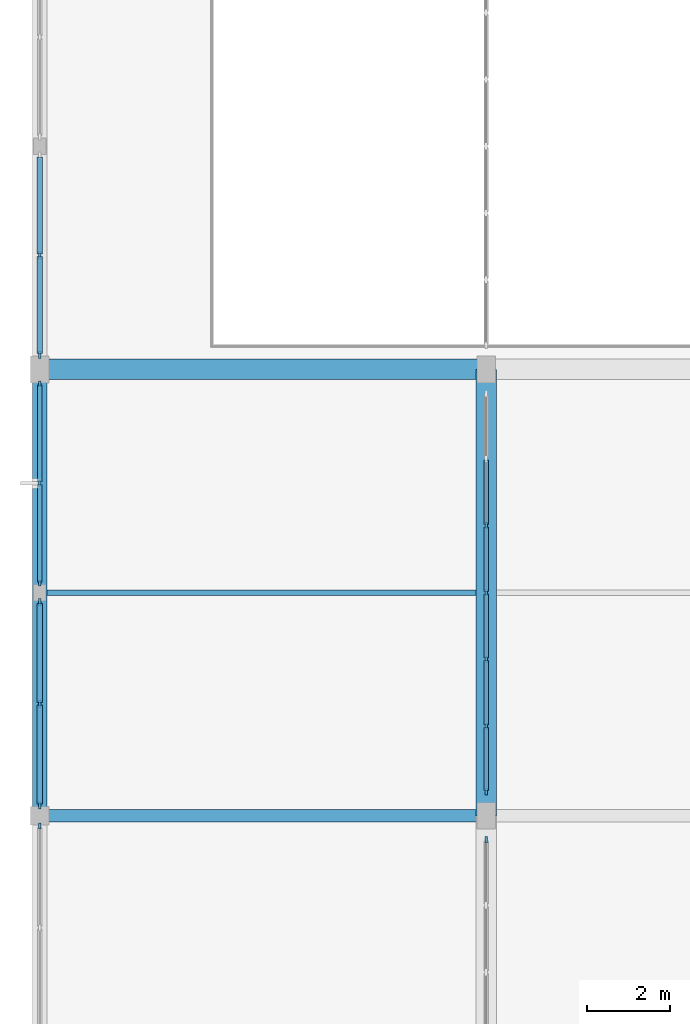
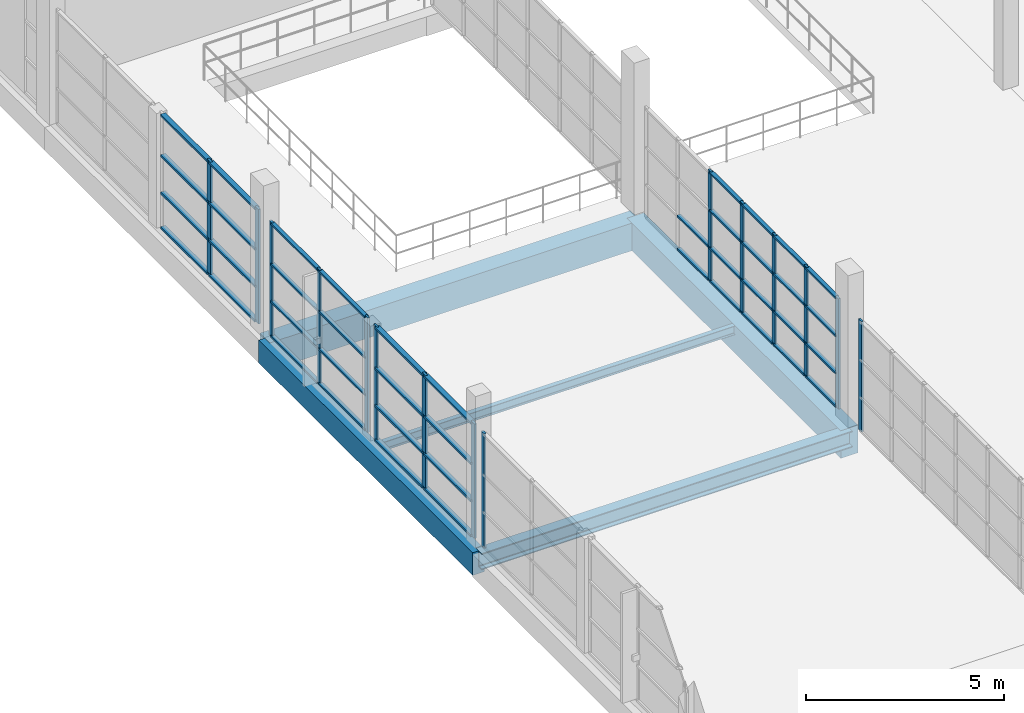
# One storey, part 30 of 142: 57 members, 5 beams, 6 elements without a shape of their own.
"""IFC4 building model written with IfcOpenShell, lengths in metres."""

from ifc_helpers import new_model, si_unit, direction, frame, origin, origin_2d, place, context, subcontext, project, spatial, rectangle, i_section, extrude, material, material_profile, profile_set, type_object, element, aggregate, save


model = new_model("IFC4")

# Units and contexts
model_context = context("Model", 3, precision=1e-05, world=origin(), true_north=direction((0.0, 1.0)))
body_context = subcontext(model_context, "Body", "Model", "MODEL_VIEW")
ifc_project = project(units=[si_unit("LENGTHUNIT", "METRE"), si_unit("AREAUNIT", "SQUARE_METRE"), si_unit("VOLUMEUNIT", "CUBIC_METRE"), si_unit("PLANEANGLEUNIT", "RADIAN"), si_unit("MASSUNIT", "GRAM", prefix="KILO")], contexts=[model_context])

# Site, building, storey
site_placement = place(None, origin())
site = spatial("IfcSite", under=ifc_project, at=site_placement, CompositionType="ELEMENT")
building_placement = place(site_placement, origin())
building = spatial("IfcBuilding", under=site, at=building_placement, Name="Zwinboog Wholesale Market", CompositionType="ELEMENT")
storey_placement = place(building_placement, frame((0.0, 0.0, 5.39990234375)))
storey = spatial("IfcBuildingStorey", under=building, at=storey_placement, Name="L01", CompositionType="ELEMENT", Elevation=5.39990234375)

# Beams
ifc_material_1 = material(Name="Precast concrete C45/55", Category="concrete")
ifc_material_profile_1 = material_profile(ifc_material_1, rectangle(XDim=0.5, YDim=0.85009765625, at=origin_2d()), Name="PC 500x850")
ifc_profile_set_1 = profile_set([ifc_material_profile_1], Name="Precast concrete C45/55")
beam_type_1 = type_object("IfcBeamType", Name="BT-03", PredefinedType="BEAM", material=ifc_profile_set_1)
for number, where, z_axis, x_axis, name in (
    (1, (0.0, 75.60009765625, -0.704833984375), (1.0, 0.0, 0.0), (0.0, 1.0, 0.0), "BG-03 (BMG-L01-0000-0756-0499)"),
    (2, (10.800048828125, 64.800048828125, -0.704833984375), (0.0, 1.0, 0.0), (-1.0, 0.0, 0.0), "BG-03 (BMG-L01-0108-0648-0618)"),
):
    element("IfcBeam", number, at=place(storey_placement, frame(where, z_axis=z_axis, x_axis=x_axis)), inside=storey, type_object=beam_type_1, Name=name, PredefinedType="BEAM", context=body_context, shape_type="SweptSolid", body=[
        extrude(rectangle(XDim=0.5, YDim=0.85009765625, at=origin_2d()), origin(), (0.0, 0.0, 1.0), 10.800048828125),
    ])
ifc_material_profile_2 = material_profile(ifc_material_1, rectangle(XDim=0.35009765625, YDim=0.699951171875, at=origin_2d()), Name="PC 350x700")
ifc_profile_set_2 = profile_set([ifc_material_profile_2], Name="Precast concrete C45/55")
beam_type_2 = type_object("IfcBeamType", Name="BT-08", PredefinedType="SPANDREL", material=ifc_profile_set_2)
beam_1_placement = place(storey_placement, frame((0.0, 64.800048828125, -0.6298828125), z_axis=(0.0, 1.0, 0.0), x_axis=(-1.0, 0.0, 0.0)))
element("IfcBeam", 3, at=beam_1_placement, inside=storey, type_object=beam_type_2, Name="SP-01 (BMG-L01-0000-0648-0607)", PredefinedType="SPANDREL", context=body_context, shape_type="SweptSolid", body=[
    extrude(rectangle(XDim=0.35009765625, YDim=0.699951171875, at=origin_2d()), origin(), (0.0, 0.0, 1.0), 10.800048828125),
])
ifc_material_2 = material(Name="Steel S355", Category="steel")
ifc_material_profile_3 = material_profile(ifc_material_2, i_section(OverallWidth=0.300048828125, OverallDepth=0.5, WebThickness=0.014404296875, FlangeThickness=0.028076171875, FilletRadius=0.027099609375, at=origin_2d()), Name="HEB 500")
ifc_profile_set_3 = profile_set([ifc_material_profile_3], Name="Steel S355")
beam_type_3 = type_object("IfcBeamType", Name="BT-14", PredefinedType="BEAM", material=ifc_profile_set_3)
beam_2_placement = place(storey_placement, frame((0.0, 64.800048828125, -0.52978515625), z_axis=(1.0, 0.0, 0.0), x_axis=(0.0, 1.0, 0.0)))
element("IfcBeam", 4, at=beam_2_placement, inside=storey, type_object=beam_type_3, Name="SB-01 (BMG-L01-0000-0648-0489)", PredefinedType="BEAM", context=body_context, shape_type="SweptSolid", body=[
    extrude(i_section(OverallWidth=0.300048828125, OverallDepth=0.5, WebThickness=0.014404296875, FlangeThickness=0.028076171875, FilletRadius=0.027099609375, at=origin_2d()), origin(), (0.0, 0.0, 1.0), 10.800048828125),
])
ifc_material_profile_4 = material_profile(ifc_material_2, i_section(OverallWidth=0.135009765625, OverallDepth=0.27001953125, WebThickness=0.006591796875, FlangeThickness=0.01025390625, FilletRadius=0.014892578125, at=origin_2d()), Name="IPE 270")
ifc_profile_set_4 = profile_set([ifc_material_profile_4], Name="Steel S355")
beam_type_4 = type_object("IfcBeamType", Name="BT-21", PredefinedType="JOIST", material=ifc_profile_set_4)
beam_3_placement = place(storey_placement, frame((0.175048828125, 70.199951171875, -0.414794921875), z_axis=(1.0, 0.0, 0.0), x_axis=(0.0, 1.0, 0.0)))
element("IfcBeam", 5, at=beam_3_placement, inside=storey, type_object=beam_type_4, Name="SJ-04 (BMG-L01-0002-0702-0795)", PredefinedType="JOIST", context=body_context, shape_type="SweptSolid", body=[
    extrude(i_section(OverallWidth=0.135009765625, OverallDepth=0.27001953125, WebThickness=0.006591796875, FlangeThickness=0.01025390625, FilletRadius=0.014892578125, at=origin_2d()), origin(), (0.0, 0.0, 1.0), 10.375),
])

# Curtain wall, members
ifc_material_3 = material(Name="Aluminium thermally broken curtain wall", Category="aluminium")
curtain_wall_type_1 = type_object("IfcCurtainWallType", Name="CWT-CAFE-22", PredefinedType="USERDEFINED", material=ifc_material_3)
curtain_wall_1_placement = place(storey_placement, origin())
curtain_wall_1 = element("IfcCurtainWall", 6, at=curtain_wall_1_placement, inside=storey, type_object=curtain_wall_type_1, Name="CW-05 (CW-L01-059)", ObjectType="STOREFRONT_GLAZING", PredefinedType="USERDEFINED")
ifc_material_4 = material(Name="Aluminium EN AW-6060", Category="aluminium")
ifc_material_profile_5 = material_profile(ifc_material_4, rectangle(XDim=0.06494140625, YDim=0.179931640625, at=origin_2d()), Name="AL 65x180")
ifc_profile_set_5 = profile_set([ifc_material_profile_5], Name="Aluminium EN AW-6060")
member_type_1 = type_object("IfcMemberType", Name="CWM-65x180", PredefinedType="MULLION", material=ifc_profile_set_5)
member_1_placement = place(storey_placement, frame((0.0, 65.052490234375, 0.0), z_axis=(0.0, 0.0, 1.0), x_axis=(-1.0, 0.0, 0.0)))
member_1 = element("IfcMember", 7, at=member_1_placement, type_object=member_type_1, Name="CW-05 mullion 1", PredefinedType="MULLION", context=body_context, shape_type="SweptSolid", body=[
    extrude(rectangle(XDim=0.06494140625, YDim=0.179931640625, at=origin_2d()), origin(), (0.0, 0.0, 1.0), 3.530029296875),
])
member_2_placement = place(storey_placement, frame((0.0, 67.510009765625, 0.0), z_axis=(0.0, 0.0, 1.0), x_axis=(-1.0, 0.0, 0.0)))
member_2 = element("IfcMember", 8, at=member_2_placement, type_object=member_type_1, Name="CW-05 mullion 2", PredefinedType="MULLION", context=body_context, shape_type="SweptSolid", body=[
    extrude(rectangle(XDim=0.06494140625, YDim=0.179931640625, at=origin_2d()), origin(), (0.0, 0.0, 1.0), 3.530029296875),
])
member_3_placement = place(storey_placement, frame((0.0, 69.967529296875, 0.0), z_axis=(0.0, 0.0, 1.0), x_axis=(-1.0, 0.0, 0.0)))
member_3 = element("IfcMember", 9, at=member_3_placement, type_object=member_type_1, Name="CW-05 mullion 3", PredefinedType="MULLION", context=body_context, shape_type="SweptSolid", body=[
    extrude(rectangle(XDim=0.06494140625, YDim=0.179931640625, at=origin_2d()), origin(), (0.0, 0.0, 1.0), 3.530029296875),
])

curtain_wall_type_2 = type_object("IfcCurtainWallType", Name="CWT-STALL-18", PredefinedType="USERDEFINED", material=ifc_material_3)
curtain_wall_2_placement = place(storey_placement, origin())
curtain_wall_2 = element("IfcCurtainWall", 10, at=curtain_wall_2_placement, inside=storey, type_object=curtain_wall_type_2, Name="CW-01 (CW-L01-061)", ObjectType="STOREFRONT_GLAZING", PredefinedType="USERDEFINED")
member_4_placement = place(storey_placement, frame((0.0, 75.952392578125, 0.0), z_axis=(0.0, 0.0, 1.0), x_axis=(-1.0, 0.0, 0.0)))
member_4 = element("IfcMember", 11, at=member_4_placement, type_object=member_type_1, Name="CW-01 mullion 1", PredefinedType="MULLION", context=body_context, shape_type="SweptSolid", body=[
    extrude(rectangle(XDim=0.06494140625, YDim=0.179931640625, at=origin_2d()), origin(), (0.0, 0.0, 1.0), 3.530029296875),
])
member_5_placement = place(storey_placement, frame((0.0, 78.360107421875, 0.0), z_axis=(0.0, 0.0, 1.0), x_axis=(-1.0, 0.0, 0.0)))
member_5 = element("IfcMember", 12, at=member_5_placement, type_object=member_type_1, Name="CW-01 mullion 2", PredefinedType="MULLION", context=body_context, shape_type="SweptSolid", body=[
    extrude(rectangle(XDim=0.06494140625, YDim=0.179931640625, at=origin_2d()), origin(), (0.0, 0.0, 1.0), 3.530029296875),
])

# Curtain wall, member
curtain_wall_type_3 = type_object("IfcCurtainWallType", Name="CWT-GAL-16", PredefinedType="USERDEFINED", material=ifc_material_3)
curtain_wall_3_placement = place(storey_placement, origin())
curtain_wall_3 = element("IfcCurtainWall", 13, at=curtain_wall_3_placement, inside=storey, type_object=curtain_wall_type_3, Name="CW-04 (CW-L01-058)", ObjectType="UNITIZED_CURTAIN_WALL", PredefinedType="USERDEFINED")
ifc_material_profile_6 = material_profile(ifc_material_4, rectangle(XDim=0.06005859375, YDim=0.14990234375, at=origin_2d()), Name="AL 60x150")
ifc_profile_set_6 = profile_set([ifc_material_profile_6], Name="Aluminium EN AW-6060")
member_type_2 = type_object("IfcMemberType", Name="CWM-60x150", PredefinedType="MULLION", material=ifc_profile_set_6)
member_6_placement = place(storey_placement, frame((0.0, 64.550048828125, 0.0), z_axis=(0.0, 0.0, 1.0), x_axis=(-1.0, 0.0, 0.0)))
member_6 = element("IfcMember", 14, at=member_6_placement, type_object=member_type_2, Name="CW-04 mullion 3", PredefinedType="MULLION", context=body_context, shape_type="SweptSolid", body=[
    extrude(rectangle(XDim=0.06005859375, YDim=0.14990234375, at=origin_2d()), origin(), (0.0, 0.0, 1.0), 3.530029296875),
])
aggregate(curtain_wall_3, [member_6])

# Curtain wall, members
curtain_wall_type_4 = type_object("IfcCurtainWallType", Name="CWT-OFF-15", PredefinedType="USERDEFINED", material=ifc_material_3)
curtain_wall_4_placement = place(storey_placement, origin())
curtain_wall_4 = element("IfcCurtainWall", 15, at=curtain_wall_4_placement, inside=storey, type_object=curtain_wall_type_4, Name="CW-06 (CW-L01-060)", ObjectType="UNITIZED_CURTAIN_WALL", PredefinedType="USERDEFINED")
member_7_placement = place(storey_placement, frame((0.0, 70.429931640625, 0.0), z_axis=(0.0, 0.0, 1.0), x_axis=(-1.0, 0.0, 0.0)))
member_7 = element("IfcMember", 16, at=member_7_placement, type_object=member_type_2, Name="CW-06 mullion 1", PredefinedType="MULLION", context=body_context, shape_type="SweptSolid", body=[
    extrude(rectangle(XDim=0.06005859375, YDim=0.14990234375, at=origin_2d()), origin(), (0.0, 0.0, 1.0), 3.530029296875),
])
member_8_placement = place(storey_placement, frame((0.0, 72.840087890625, 0.0), z_axis=(0.0, 0.0, 1.0), x_axis=(-1.0, 0.0, 0.0)))
member_8 = element("IfcMember", 17, at=member_8_placement, type_object=member_type_2, Name="CW-06 mullion 2", PredefinedType="MULLION", context=body_context, shape_type="SweptSolid", body=[
    extrude(rectangle(XDim=0.06005859375, YDim=0.14990234375, at=origin_2d()), origin(), (0.0, 0.0, 1.0), 3.530029296875),
])
member_9_placement = place(storey_placement, frame((0.0, 75.25, 0.0), z_axis=(0.0, 0.0, 1.0), x_axis=(-1.0, 0.0, 0.0)))
member_9 = element("IfcMember", 18, at=member_9_placement, type_object=member_type_2, Name="CW-06 mullion 3", PredefinedType="MULLION", context=body_context, shape_type="SweptSolid", body=[
    extrude(rectangle(XDim=0.06005859375, YDim=0.14990234375, at=origin_2d()), origin(), (0.0, 0.0, 1.0), 3.530029296875),
])

# Member
ifc_material_profile_7 = material_profile(ifc_material_4, rectangle(XDim=0.139892578125, YDim=0.06494140625, at=origin_2d()), Name="AL 65x140")
ifc_profile_set_7 = profile_set([ifc_material_profile_7], Name="Aluminium EN AW-6060")
member_type_3 = type_object("IfcMemberType", Name="CWT-65x140", PredefinedType="USERDEFINED", material=ifc_profile_set_7)
member_10_placement = place(storey_placement, frame((0.0, 65.0849609375, 0.03271484375), z_axis=(0.0, 1.0, 0.0), x_axis=(-1.0, 0.0, 0.0)))
member_10 = element("IfcMember", 19, at=member_10_placement, type_object=member_type_3, Name="CW-05 transom 1.1", ObjectType="TRANSOM", PredefinedType="USERDEFINED", context=body_context, shape_type="SweptSolid", body=[
    extrude(rectangle(XDim=0.139892578125, YDim=0.06494140625, at=origin_2d()), origin(), (0.0, 0.0, 1.0), 2.392578125),
])

member_11_placement = place(storey_placement, frame((0.0, 65.0849609375, 1.10009765625), z_axis=(0.0, 1.0, 0.0), x_axis=(-1.0, 0.0, 0.0)))
member_11 = element("IfcMember", 20, at=member_11_placement, type_object=member_type_3, Name="CW-05 transom 1.2", ObjectType="TRANSOM", PredefinedType="USERDEFINED", context=body_context, shape_type="SweptSolid", body=[
    extrude(rectangle(XDim=0.139892578125, YDim=0.06494140625, at=origin_2d()), origin(), (0.0, 0.0, 1.0), 2.392578125),
])

member_12_placement = place(storey_placement, frame((0.0, 65.0849609375, 2.25), z_axis=(0.0, 1.0, 0.0), x_axis=(-1.0, 0.0, 0.0)))
member_12 = element("IfcMember", 21, at=member_12_placement, type_object=member_type_3, Name="CW-05 transom 1.3", ObjectType="TRANSOM", PredefinedType="USERDEFINED", context=body_context, shape_type="SweptSolid", body=[
    extrude(rectangle(XDim=0.139892578125, YDim=0.06494140625, at=origin_2d()), origin(), (0.0, 0.0, 1.0), 2.392578125),
])

member_13_placement = place(storey_placement, frame((0.0, 65.0849609375, 3.49755859375), z_axis=(0.0, 1.0, 0.0), x_axis=(-1.0, 0.0, 0.0)))
member_13 = element("IfcMember", 22, at=member_13_placement, type_object=member_type_3, Name="CW-05 transom 1.4", ObjectType="TRANSOM", PredefinedType="USERDEFINED", context=body_context, shape_type="SweptSolid", body=[
    extrude(rectangle(XDim=0.139892578125, YDim=0.06494140625, at=origin_2d()), origin(), (0.0, 0.0, 1.0), 2.392578125),
])

member_14_placement = place(storey_placement, frame((0.0, 67.54248046875, 0.03271484375), z_axis=(0.0, 1.0, 0.0), x_axis=(-1.0, 0.0, 0.0)))
member_14 = element("IfcMember", 23, at=member_14_placement, type_object=member_type_3, Name="CW-05 transom 2.1", ObjectType="TRANSOM", PredefinedType="USERDEFINED", context=body_context, shape_type="SweptSolid", body=[
    extrude(rectangle(XDim=0.139892578125, YDim=0.06494140625, at=origin_2d()), origin(), (0.0, 0.0, 1.0), 2.392578125),
])

member_15_placement = place(storey_placement, frame((0.0, 67.54248046875, 1.10009765625), z_axis=(0.0, 1.0, 0.0), x_axis=(-1.0, 0.0, 0.0)))
member_15 = element("IfcMember", 24, at=member_15_placement, type_object=member_type_3, Name="CW-05 transom 2.2", ObjectType="TRANSOM", PredefinedType="USERDEFINED", context=body_context, shape_type="SweptSolid", body=[
    extrude(rectangle(XDim=0.139892578125, YDim=0.06494140625, at=origin_2d()), origin(), (0.0, 0.0, 1.0), 2.392578125),
])

member_16_placement = place(storey_placement, frame((0.0, 67.54248046875, 2.25), z_axis=(0.0, 1.0, 0.0), x_axis=(-1.0, 0.0, 0.0)))
member_16 = element("IfcMember", 25, at=member_16_placement, type_object=member_type_3, Name="CW-05 transom 2.3", ObjectType="TRANSOM", PredefinedType="USERDEFINED", context=body_context, shape_type="SweptSolid", body=[
    extrude(rectangle(XDim=0.139892578125, YDim=0.06494140625, at=origin_2d()), origin(), (0.0, 0.0, 1.0), 2.392578125),
])

member_17_placement = place(storey_placement, frame((0.0, 67.54248046875, 3.49755859375), z_axis=(0.0, 1.0, 0.0), x_axis=(-1.0, 0.0, 0.0)))
member_17 = element("IfcMember", 26, at=member_17_placement, type_object=member_type_3, Name="CW-05 transom 2.4", ObjectType="TRANSOM", PredefinedType="USERDEFINED", context=body_context, shape_type="SweptSolid", body=[
    extrude(rectangle(XDim=0.139892578125, YDim=0.06494140625, at=origin_2d()), origin(), (0.0, 0.0, 1.0), 2.392578125),
])

aggregate(curtain_wall_1, [member_1, member_2, member_3, member_10, member_11, member_12, member_13, member_14, member_15, member_16, member_17])

member_18_placement = place(storey_placement, frame((0.0, 75.985107421875, 0.03271484375), z_axis=(0.0, 1.0, 0.0), x_axis=(-1.0, 0.0, 0.0)))
member_18 = element("IfcMember", 27, at=member_18_placement, type_object=member_type_3, Name="CW-01 transom 1.1", ObjectType="TRANSOM", PredefinedType="USERDEFINED", context=body_context, shape_type="SweptSolid", body=[
    extrude(rectangle(XDim=0.139892578125, YDim=0.06494140625, at=origin_2d()), origin(), (0.0, 0.0, 1.0), 2.34228515625),
])

member_19_placement = place(storey_placement, frame((0.0, 75.985107421875, 1.10009765625), z_axis=(0.0, 1.0, 0.0), x_axis=(-1.0, 0.0, 0.0)))
member_19 = element("IfcMember", 28, at=member_19_placement, type_object=member_type_3, Name="CW-01 transom 1.2", ObjectType="TRANSOM", PredefinedType="USERDEFINED", context=body_context, shape_type="SweptSolid", body=[
    extrude(rectangle(XDim=0.139892578125, YDim=0.06494140625, at=origin_2d()), origin(), (0.0, 0.0, 1.0), 2.34228515625),
])

member_20_placement = place(storey_placement, frame((0.0, 75.985107421875, 2.25), z_axis=(0.0, 1.0, 0.0), x_axis=(-1.0, 0.0, 0.0)))
member_20 = element("IfcMember", 29, at=member_20_placement, type_object=member_type_3, Name="CW-01 transom 1.3", ObjectType="TRANSOM", PredefinedType="USERDEFINED", context=body_context, shape_type="SweptSolid", body=[
    extrude(rectangle(XDim=0.139892578125, YDim=0.06494140625, at=origin_2d()), origin(), (0.0, 0.0, 1.0), 2.34228515625),
])

member_21_placement = place(storey_placement, frame((0.0, 75.985107421875, 3.49755859375), z_axis=(0.0, 1.0, 0.0), x_axis=(-1.0, 0.0, 0.0)))
member_21 = element("IfcMember", 30, at=member_21_placement, type_object=member_type_3, Name="CW-01 transom 1.4", ObjectType="TRANSOM", PredefinedType="USERDEFINED", context=body_context, shape_type="SweptSolid", body=[
    extrude(rectangle(XDim=0.139892578125, YDim=0.06494140625, at=origin_2d()), origin(), (0.0, 0.0, 1.0), 2.34228515625),
])

member_22_placement = place(storey_placement, frame((0.0, 78.392578125, 0.03271484375), z_axis=(0.0, 1.0, 0.0), x_axis=(-1.0, 0.0, 0.0)))
member_22 = element("IfcMember", 31, at=member_22_placement, type_object=member_type_3, Name="CW-01 transom 2.1", ObjectType="TRANSOM", PredefinedType="USERDEFINED", context=body_context, shape_type="SweptSolid", body=[
    extrude(rectangle(XDim=0.139892578125, YDim=0.06494140625, at=origin_2d()), origin(), (0.0, 0.0, 1.0), 2.342529296875),
])

member_23_placement = place(storey_placement, frame((0.0, 78.392578125, 1.10009765625), z_axis=(0.0, 1.0, 0.0), x_axis=(-1.0, 0.0, 0.0)))
member_23 = element("IfcMember", 32, at=member_23_placement, type_object=member_type_3, Name="CW-01 transom 2.2", ObjectType="TRANSOM", PredefinedType="USERDEFINED", context=body_context, shape_type="SweptSolid", body=[
    extrude(rectangle(XDim=0.139892578125, YDim=0.06494140625, at=origin_2d()), origin(), (0.0, 0.0, 1.0), 2.342529296875),
])

member_24_placement = place(storey_placement, frame((0.0, 78.392578125, 2.25), z_axis=(0.0, 1.0, 0.0), x_axis=(-1.0, 0.0, 0.0)))
member_24 = element("IfcMember", 33, at=member_24_placement, type_object=member_type_3, Name="CW-01 transom 2.3", ObjectType="TRANSOM", PredefinedType="USERDEFINED", context=body_context, shape_type="SweptSolid", body=[
    extrude(rectangle(XDim=0.139892578125, YDim=0.06494140625, at=origin_2d()), origin(), (0.0, 0.0, 1.0), 2.342529296875),
])

member_25_placement = place(storey_placement, frame((0.0, 78.392578125, 3.49755859375), z_axis=(0.0, 1.0, 0.0), x_axis=(-1.0, 0.0, 0.0)))
member_25 = element("IfcMember", 34, at=member_25_placement, type_object=member_type_3, Name="CW-01 transom 2.4", ObjectType="TRANSOM", PredefinedType="USERDEFINED", context=body_context, shape_type="SweptSolid", body=[
    extrude(rectangle(XDim=0.139892578125, YDim=0.06494140625, at=origin_2d()), origin(), (0.0, 0.0, 1.0), 2.342529296875),
])

aggregate(curtain_wall_2, [member_4, member_5, member_18, member_19, member_20, member_21, member_22, member_23, member_24, member_25])

ifc_material_profile_8 = material_profile(ifc_material_4, rectangle(XDim=0.110107421875, YDim=0.06005859375, at=origin_2d()), Name="AL 60x110")
ifc_profile_set_8 = profile_set([ifc_material_profile_8], Name="Aluminium EN AW-6060")
member_type_4 = type_object("IfcMemberType", Name="CWT-60x110", PredefinedType="USERDEFINED", material=ifc_profile_set_8)
member_26_placement = place(storey_placement, frame((0.0, 70.4599609375, 0.030029296875), z_axis=(0.0, 1.0, 0.0), x_axis=(-1.0, 0.0, 0.0)))
member_26 = element("IfcMember", 35, at=member_26_placement, type_object=member_type_4, Name="CW-06 transom 1.1", ObjectType="TRANSOM", PredefinedType="USERDEFINED", context=body_context, shape_type="SweptSolid", body=[
    extrude(rectangle(XDim=0.110107421875, YDim=0.06005859375, at=origin_2d()), origin(), (0.0, 0.0, 1.0), 2.35009765625),
])

member_27_placement = place(storey_placement, frame((0.0, 70.4599609375, 1.10009765625), z_axis=(0.0, 1.0, 0.0), x_axis=(-1.0, 0.0, 0.0)))
member_27 = element("IfcMember", 36, at=member_27_placement, type_object=member_type_4, Name="CW-06 transom 1.2", ObjectType="TRANSOM", PredefinedType="USERDEFINED", context=body_context, shape_type="SweptSolid", body=[
    extrude(rectangle(XDim=0.110107421875, YDim=0.06005859375, at=origin_2d()), origin(), (0.0, 0.0, 1.0), 2.35009765625),
])

member_28_placement = place(storey_placement, frame((0.0, 70.4599609375, 2.25), z_axis=(0.0, 1.0, 0.0), x_axis=(-1.0, 0.0, 0.0)))
member_28 = element("IfcMember", 37, at=member_28_placement, type_object=member_type_4, Name="CW-06 transom 1.3", ObjectType="TRANSOM", PredefinedType="USERDEFINED", context=body_context, shape_type="SweptSolid", body=[
    extrude(rectangle(XDim=0.110107421875, YDim=0.06005859375, at=origin_2d()), origin(), (0.0, 0.0, 1.0), 2.35009765625),
])

member_29_placement = place(storey_placement, frame((0.0, 70.4599609375, 3.5), z_axis=(0.0, 1.0, 0.0), x_axis=(-1.0, 0.0, 0.0)))
member_29 = element("IfcMember", 38, at=member_29_placement, type_object=member_type_4, Name="CW-06 transom 1.4", ObjectType="TRANSOM", PredefinedType="USERDEFINED", context=body_context, shape_type="SweptSolid", body=[
    extrude(rectangle(XDim=0.110107421875, YDim=0.06005859375, at=origin_2d()), origin(), (0.0, 0.0, 1.0), 2.35009765625),
])

member_30_placement = place(storey_placement, frame((0.0, 72.8701171875, 0.030029296875), z_axis=(0.0, 1.0, 0.0), x_axis=(-1.0, 0.0, 0.0)))
member_30 = element("IfcMember", 39, at=member_30_placement, type_object=member_type_4, Name="CW-06 transom 2.1", ObjectType="TRANSOM", PredefinedType="USERDEFINED", context=body_context, shape_type="SweptSolid", body=[
    extrude(rectangle(XDim=0.110107421875, YDim=0.06005859375, at=origin_2d()), origin(), (0.0, 0.0, 1.0), 2.349853515625),
])

member_31_placement = place(storey_placement, frame((0.0, 72.8701171875, 1.10009765625), z_axis=(0.0, 1.0, 0.0), x_axis=(-1.0, 0.0, 0.0)))
member_31 = element("IfcMember", 40, at=member_31_placement, type_object=member_type_4, Name="CW-06 transom 2.2", ObjectType="TRANSOM", PredefinedType="USERDEFINED", context=body_context, shape_type="SweptSolid", body=[
    extrude(rectangle(XDim=0.110107421875, YDim=0.06005859375, at=origin_2d()), origin(), (0.0, 0.0, 1.0), 2.349853515625),
])

member_32_placement = place(storey_placement, frame((0.0, 72.8701171875, 2.25), z_axis=(0.0, 1.0, 0.0), x_axis=(-1.0, 0.0, 0.0)))
member_32 = element("IfcMember", 41, at=member_32_placement, type_object=member_type_4, Name="CW-06 transom 2.3", ObjectType="TRANSOM", PredefinedType="USERDEFINED", context=body_context, shape_type="SweptSolid", body=[
    extrude(rectangle(XDim=0.110107421875, YDim=0.06005859375, at=origin_2d()), origin(), (0.0, 0.0, 1.0), 2.349853515625),
])

member_33_placement = place(storey_placement, frame((0.0, 72.8701171875, 3.5), z_axis=(0.0, 1.0, 0.0), x_axis=(-1.0, 0.0, 0.0)))
member_33 = element("IfcMember", 42, at=member_33_placement, type_object=member_type_4, Name="CW-06 transom 2.4", ObjectType="TRANSOM", PredefinedType="USERDEFINED", context=body_context, shape_type="SweptSolid", body=[
    extrude(rectangle(XDim=0.110107421875, YDim=0.06005859375, at=origin_2d()), origin(), (0.0, 0.0, 1.0), 2.349853515625),
])

aggregate(curtain_wall_4, [member_7, member_8, member_9, member_26, member_27, member_28, member_29, member_30, member_31, member_32, member_33])

# Curtain wall, member
curtain_wall_type_5 = type_object("IfcCurtainWallType", Name="CWT-INT-STALL", PredefinedType="USERDEFINED", material=ifc_material_3)
curtain_wall_5_placement = place(storey_placement, origin())
curtain_wall_5 = element("IfcCurtainWall", 43, at=curtain_wall_5_placement, inside=storey, type_object=curtain_wall_type_5, Name="CW-07 (CW-STL-260)", ObjectType="STOREFRONT_GLAZING", PredefinedType="USERDEFINED")
ifc_material_profile_9 = material_profile(ifc_material_4, rectangle(XDim=0.06005859375, YDim=0.14990234375, at=origin_2d()), Name="AL 60x150")
ifc_profile_set_9 = profile_set([ifc_material_profile_9], Name="Aluminium EN AW-6060")
member_type_5 = type_object("IfcMemberType", Name="CWM-INT-60x120", PredefinedType="MULLION", material=ifc_profile_set_9)
member_34_placement = place(storey_placement, frame((10.800048828125, 64.219970703125, 0.0), z_axis=(0.0, 0.0, 1.0), x_axis=(-1.0, 0.0, 0.0)))
member_34 = element("IfcMember", 44, at=member_34_placement, type_object=member_type_5, Name="CW-07 mullion 7", PredefinedType="MULLION", context=body_context, shape_type="SweptSolid", body=[
    extrude(rectangle(XDim=0.06005859375, YDim=0.14990234375, at=origin_2d()), origin(), (0.0, 0.0, 1.0), 3.400146484375),
])
aggregate(curtain_wall_5, [member_34])

# Curtain wall, members
curtain_wall_6_placement = place(storey_placement, origin())
curtain_wall_6 = element("IfcCurtainWall", 45, at=curtain_wall_6_placement, inside=storey, type_object=curtain_wall_type_5, Name="CW-07 (CW-STL-261)", ObjectType="STOREFRONT_GLAZING", PredefinedType="USERDEFINED")
member_35_placement = place(storey_placement, frame((10.800048828125, 65.3798828125, 0.0), z_axis=(0.0, 0.0, 1.0), x_axis=(-1.0, 0.0, 0.0)))
member_35 = element("IfcMember", 46, at=member_35_placement, type_object=member_type_5, Name="CW-07 mullion 1", PredefinedType="MULLION", context=body_context, shape_type="SweptSolid", body=[
    extrude(rectangle(XDim=0.06005859375, YDim=0.14990234375, at=origin_2d()), origin(), (0.0, 0.0, 1.0), 3.400146484375),
])
member_36_placement = place(storey_placement, frame((10.800048828125, 66.966552734375, 0.0), z_axis=(0.0, 0.0, 1.0), x_axis=(-1.0, 0.0, 0.0)))
member_36 = element("IfcMember", 47, at=member_36_placement, type_object=member_type_5, Name="CW-07 mullion 2", PredefinedType="MULLION", context=body_context, shape_type="SweptSolid", body=[
    extrude(rectangle(XDim=0.06005859375, YDim=0.14990234375, at=origin_2d()), origin(), (0.0, 0.0, 1.0), 3.400146484375),
])
member_37_placement = place(storey_placement, frame((10.800048828125, 68.583251953125, 0.0), z_axis=(0.0, 0.0, 1.0), x_axis=(-1.0, 0.0, 0.0)))
member_37 = element("IfcMember", 48, at=member_37_placement, type_object=member_type_5, Name="CW-07 mullion 3", PredefinedType="MULLION", context=body_context, shape_type="SweptSolid", body=[
    extrude(rectangle(XDim=0.06005859375, YDim=0.14990234375, at=origin_2d()), origin(), (0.0, 0.0, 1.0), 3.400146484375),
])
member_38_placement = place(storey_placement, frame((10.800048828125, 70.199951171875, 0.0), z_axis=(0.0, 0.0, 1.0), x_axis=(-1.0, 0.0, 0.0)))
member_38 = element("IfcMember", 49, at=member_38_placement, type_object=member_type_5, Name="CW-07 mullion 4", PredefinedType="MULLION", context=body_context, shape_type="SweptSolid", body=[
    extrude(rectangle(XDim=0.06005859375, YDim=0.14990234375, at=origin_2d()), origin(), (0.0, 0.0, 1.0), 3.400146484375),
])
member_39_placement = place(storey_placement, frame((10.800048828125, 71.816650390625, 0.0), z_axis=(0.0, 0.0, 1.0), x_axis=(-1.0, 0.0, 0.0)))
member_39 = element("IfcMember", 50, at=member_39_placement, type_object=member_type_5, Name="CW-07 mullion 5", PredefinedType="MULLION", context=body_context, shape_type="SweptSolid", body=[
    extrude(rectangle(XDim=0.06005859375, YDim=0.14990234375, at=origin_2d()), origin(), (0.0, 0.0, 1.0), 3.400146484375),
])
ifc_material_profile_10 = material_profile(ifc_material_4, rectangle(XDim=0.110107421875, YDim=0.06005859375, at=origin_2d()), Name="AL 60x110")
ifc_profile_set_10 = profile_set([ifc_material_profile_10], Name="Aluminium EN AW-6060")
member_type_6 = type_object("IfcMemberType", Name="CWT-INT-60x100", PredefinedType="USERDEFINED", material=ifc_profile_set_10)
member_40_placement = place(storey_placement, frame((10.800048828125, 65.409912109375, 0.030029296875), z_axis=(0.0, 1.0, 0.0), x_axis=(-1.0, 0.0, 0.0)))
member_40 = element("IfcMember", 51, at=member_40_placement, type_object=member_type_6, Name="CW-07 transom 1.1", ObjectType="TRANSOM", PredefinedType="USERDEFINED", context=body_context, shape_type="SweptSolid", body=[
    extrude(rectangle(XDim=0.110107421875, YDim=0.06005859375, at=origin_2d()), origin(), (0.0, 0.0, 1.0), 1.52685546875),
])
member_41_placement = place(storey_placement, frame((10.800048828125, 65.409912109375, 1.050048828125), z_axis=(0.0, 1.0, 0.0), x_axis=(-1.0, 0.0, 0.0)))
member_41 = element("IfcMember", 52, at=member_41_placement, type_object=member_type_6, Name="CW-07 transom 1.2", ObjectType="TRANSOM", PredefinedType="USERDEFINED", context=body_context, shape_type="SweptSolid", body=[
    extrude(rectangle(XDim=0.110107421875, YDim=0.06005859375, at=origin_2d()), origin(), (0.0, 0.0, 1.0), 1.52685546875),
])
member_42_placement = place(storey_placement, frame((10.800048828125, 65.409912109375, 2.2001953125), z_axis=(0.0, 1.0, 0.0), x_axis=(-1.0, 0.0, 0.0)))
member_42 = element("IfcMember", 53, at=member_42_placement, type_object=member_type_6, Name="CW-07 transom 1.3", ObjectType="TRANSOM", PredefinedType="USERDEFINED", context=body_context, shape_type="SweptSolid", body=[
    extrude(rectangle(XDim=0.110107421875, YDim=0.06005859375, at=origin_2d()), origin(), (0.0, 0.0, 1.0), 1.52685546875),
])
member_43_placement = place(storey_placement, frame((10.800048828125, 65.409912109375, 3.3701171875), z_axis=(0.0, 1.0, 0.0), x_axis=(-1.0, 0.0, 0.0)))
member_43 = element("IfcMember", 54, at=member_43_placement, type_object=member_type_6, Name="CW-07 transom 1.4", ObjectType="TRANSOM", PredefinedType="USERDEFINED", context=body_context, shape_type="SweptSolid", body=[
    extrude(rectangle(XDim=0.110107421875, YDim=0.06005859375, at=origin_2d()), origin(), (0.0, 0.0, 1.0), 1.52685546875),
])
member_44_placement = place(storey_placement, frame((10.800048828125, 66.99658203125, 0.030029296875), z_axis=(0.0, 1.0, 0.0), x_axis=(-1.0, 0.0, 0.0)))
member_44 = element("IfcMember", 55, at=member_44_placement, type_object=member_type_6, Name="CW-07 transom 2.1", ObjectType="TRANSOM", PredefinedType="USERDEFINED", context=body_context, shape_type="SweptSolid", body=[
    extrude(rectangle(XDim=0.110107421875, YDim=0.06005859375, at=origin_2d()), origin(), (0.0, 0.0, 1.0), 1.556640625),
])
member_45_placement = place(storey_placement, frame((10.800048828125, 66.99658203125, 1.050048828125), z_axis=(0.0, 1.0, 0.0), x_axis=(-1.0, 0.0, 0.0)))
member_45 = element("IfcMember", 56, at=member_45_placement, type_object=member_type_6, Name="CW-07 transom 2.2", ObjectType="TRANSOM", PredefinedType="USERDEFINED", context=body_context, shape_type="SweptSolid", body=[
    extrude(rectangle(XDim=0.110107421875, YDim=0.06005859375, at=origin_2d()), origin(), (0.0, 0.0, 1.0), 1.556640625),
])
member_46_placement = place(storey_placement, frame((10.800048828125, 66.99658203125, 2.2001953125), z_axis=(0.0, 1.0, 0.0), x_axis=(-1.0, 0.0, 0.0)))
member_46 = element("IfcMember", 57, at=member_46_placement, type_object=member_type_6, Name="CW-07 transom 2.3", ObjectType="TRANSOM", PredefinedType="USERDEFINED", context=body_context, shape_type="SweptSolid", body=[
    extrude(rectangle(XDim=0.110107421875, YDim=0.06005859375, at=origin_2d()), origin(), (0.0, 0.0, 1.0), 1.556640625),
])
member_47_placement = place(storey_placement, frame((10.800048828125, 66.99658203125, 3.3701171875), z_axis=(0.0, 1.0, 0.0), x_axis=(-1.0, 0.0, 0.0)))
member_47 = element("IfcMember", 58, at=member_47_placement, type_object=member_type_6, Name="CW-07 transom 2.4", ObjectType="TRANSOM", PredefinedType="USERDEFINED", context=body_context, shape_type="SweptSolid", body=[
    extrude(rectangle(XDim=0.110107421875, YDim=0.06005859375, at=origin_2d()), origin(), (0.0, 0.0, 1.0), 1.556640625),
])
member_48_placement = place(storey_placement, frame((10.800048828125, 68.61328125, 0.030029296875), z_axis=(0.0, 1.0, 0.0), x_axis=(-1.0, 0.0, 0.0)))
member_48 = element("IfcMember", 59, at=member_48_placement, type_object=member_type_6, Name="CW-07 transom 3.1", ObjectType="TRANSOM", PredefinedType="USERDEFINED", context=body_context, shape_type="SweptSolid", body=[
    extrude(rectangle(XDim=0.110107421875, YDim=0.06005859375, at=origin_2d()), origin(), (0.0, 0.0, 1.0), 1.556640625),
])
member_49_placement = place(storey_placement, frame((10.800048828125, 68.61328125, 1.050048828125), z_axis=(0.0, 1.0, 0.0), x_axis=(-1.0, 0.0, 0.0)))
member_49 = element("IfcMember", 60, at=member_49_placement, type_object=member_type_6, Name="CW-07 transom 3.2", ObjectType="TRANSOM", PredefinedType="USERDEFINED", context=body_context, shape_type="SweptSolid", body=[
    extrude(rectangle(XDim=0.110107421875, YDim=0.06005859375, at=origin_2d()), origin(), (0.0, 0.0, 1.0), 1.556640625),
])
member_50_placement = place(storey_placement, frame((10.800048828125, 68.61328125, 2.2001953125), z_axis=(0.0, 1.0, 0.0), x_axis=(-1.0, 0.0, 0.0)))
member_50 = element("IfcMember", 61, at=member_50_placement, type_object=member_type_6, Name="CW-07 transom 3.3", ObjectType="TRANSOM", PredefinedType="USERDEFINED", context=body_context, shape_type="SweptSolid", body=[
    extrude(rectangle(XDim=0.110107421875, YDim=0.06005859375, at=origin_2d()), origin(), (0.0, 0.0, 1.0), 1.556640625),
])
member_51_placement = place(storey_placement, frame((10.800048828125, 68.61328125, 3.3701171875), z_axis=(0.0, 1.0, 0.0), x_axis=(-1.0, 0.0, 0.0)))
member_51 = element("IfcMember", 62, at=member_51_placement, type_object=member_type_6, Name="CW-07 transom 3.4", ObjectType="TRANSOM", PredefinedType="USERDEFINED", context=body_context, shape_type="SweptSolid", body=[
    extrude(rectangle(XDim=0.110107421875, YDim=0.06005859375, at=origin_2d()), origin(), (0.0, 0.0, 1.0), 1.556640625),
])
member_52_placement = place(storey_placement, frame((10.800048828125, 70.22998046875, 0.030029296875), z_axis=(0.0, 1.0, 0.0), x_axis=(-1.0, 0.0, 0.0)))
member_52 = element("IfcMember", 63, at=member_52_placement, type_object=member_type_6, Name="CW-07 transom 4.1", ObjectType="TRANSOM", PredefinedType="USERDEFINED", context=body_context, shape_type="SweptSolid", body=[
    extrude(rectangle(XDim=0.110107421875, YDim=0.06005859375, at=origin_2d()), origin(), (0.0, 0.0, 1.0), 1.556640625),
])
member_53_placement = place(storey_placement, frame((10.800048828125, 70.22998046875, 1.050048828125), z_axis=(0.0, 1.0, 0.0), x_axis=(-1.0, 0.0, 0.0)))
member_53 = element("IfcMember", 64, at=member_53_placement, type_object=member_type_6, Name="CW-07 transom 4.2", ObjectType="TRANSOM", PredefinedType="USERDEFINED", context=body_context, shape_type="SweptSolid", body=[
    extrude(rectangle(XDim=0.110107421875, YDim=0.06005859375, at=origin_2d()), origin(), (0.0, 0.0, 1.0), 1.556640625),
])
member_54_placement = place(storey_placement, frame((10.800048828125, 70.22998046875, 2.2001953125), z_axis=(0.0, 1.0, 0.0), x_axis=(-1.0, 0.0, 0.0)))
member_54 = element("IfcMember", 65, at=member_54_placement, type_object=member_type_6, Name="CW-07 transom 4.3", ObjectType="TRANSOM", PredefinedType="USERDEFINED", context=body_context, shape_type="SweptSolid", body=[
    extrude(rectangle(XDim=0.110107421875, YDim=0.06005859375, at=origin_2d()), origin(), (0.0, 0.0, 1.0), 1.556640625),
])
member_55_placement = place(storey_placement, frame((10.800048828125, 70.22998046875, 3.3701171875), z_axis=(0.0, 1.0, 0.0), x_axis=(-1.0, 0.0, 0.0)))
member_55 = element("IfcMember", 66, at=member_55_placement, type_object=member_type_6, Name="CW-07 transom 4.4", ObjectType="TRANSOM", PredefinedType="USERDEFINED", context=body_context, shape_type="SweptSolid", body=[
    extrude(rectangle(XDim=0.110107421875, YDim=0.06005859375, at=origin_2d()), origin(), (0.0, 0.0, 1.0), 1.556640625),
])
member_56_placement = place(storey_placement, frame((10.800048828125, 71.8466796875, 0.030029296875), z_axis=(0.0, 1.0, 0.0), x_axis=(-1.0, 0.0, 0.0)))
member_56 = element("IfcMember", 67, at=member_56_placement, type_object=member_type_6, Name="CW-07 transom 5.1", ObjectType="TRANSOM", PredefinedType="USERDEFINED", context=body_context, shape_type="SweptSolid", body=[
    extrude(rectangle(XDim=0.110107421875, YDim=0.06005859375, at=origin_2d()), origin(), (0.0, 0.0, 1.0), 1.556640625),
])
member_57_placement = place(storey_placement, frame((10.800048828125, 71.8466796875, 1.050048828125), z_axis=(0.0, 1.0, 0.0), x_axis=(-1.0, 0.0, 0.0)))
member_57 = element("IfcMember", 68, at=member_57_placement, type_object=member_type_6, Name="CW-07 transom 5.2", ObjectType="TRANSOM", PredefinedType="USERDEFINED", context=body_context, shape_type="SweptSolid", body=[
    extrude(rectangle(XDim=0.110107421875, YDim=0.06005859375, at=origin_2d()), origin(), (0.0, 0.0, 1.0), 1.556640625),
])
aggregate(curtain_wall_6, [member_35, member_36, member_37, member_38, member_39, member_40, member_41, member_42, member_43, member_44, member_45, member_46, member_47, member_48, member_49, member_50, member_51, member_52, member_53, member_54, member_55, member_56, member_57])

save(model, "model.ifc")
